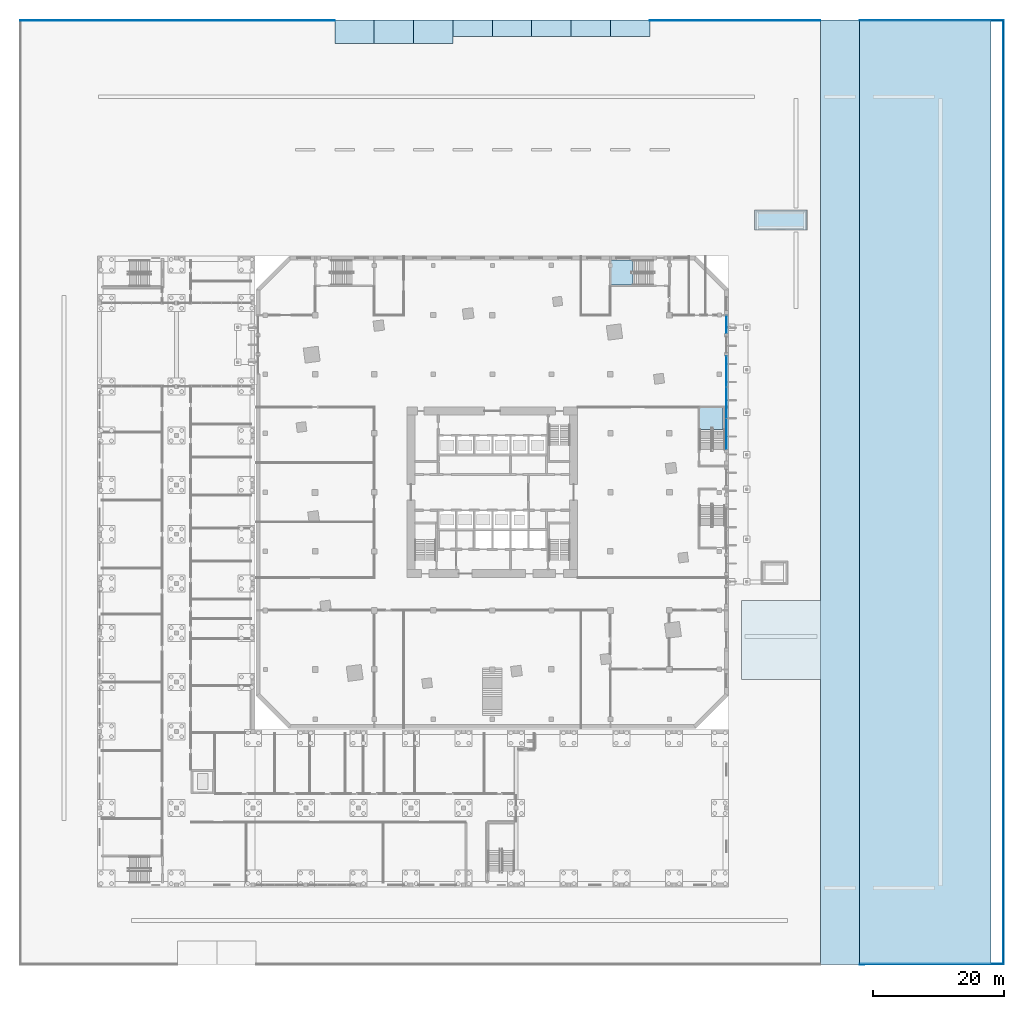
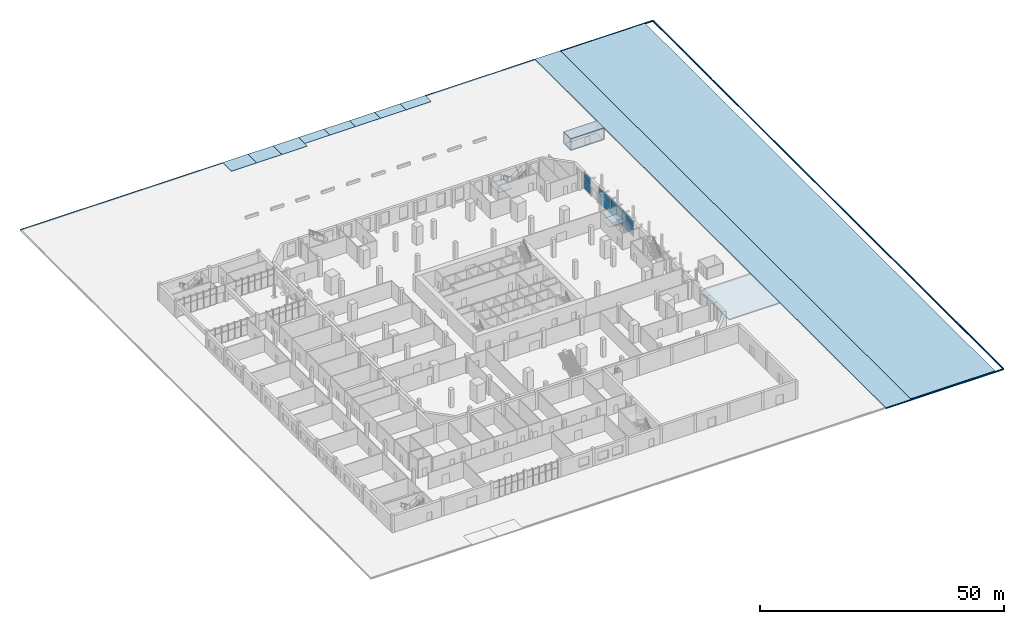
# One storey, part 22 of 42: 21 slabs, 8 plates, 4 elements without a shape of their own.
"""IFC4 building model written with IfcOpenShell, lengths in metres."""

from ifc_helpers import new_model, si_unit, direction, frame, origin, origin_2d, place, context, subcontext, project, spatial, polyline, rectangle, outline, extrude, material, layer, layer_set, type_object, element, aggregate, save


model = new_model("IFC4")

# Units and contexts
model_context = context("Model", 3, precision=1e-05, world=origin(), true_north=direction((0.0, 1.0)))
body_context = subcontext(model_context, "Body", "Model", "MODEL_VIEW")
ifc_project = project(units=[si_unit("LENGTHUNIT", "METRE"), si_unit("AREAUNIT", "SQUARE_METRE"), si_unit("VOLUMEUNIT", "CUBIC_METRE"), si_unit("PLANEANGLEUNIT", "RADIAN"), si_unit("MASSUNIT", "GRAM", prefix="KILO")], contexts=[model_context])

# Site, building, storey
site_placement = place(None, origin())
site = spatial("IfcSite", under=ifc_project, at=site_placement, CompositionType="ELEMENT")
building_placement = place(site_placement, origin())
building = spatial("IfcBuilding", under=site, at=building_placement, Name="Dilmun Exchange Tower", CompositionType="ELEMENT")
storey_placement = place(building_placement, origin())
storey = spatial("IfcBuildingStorey", under=building, at=storey_placement, Name="L00", CompositionType="ELEMENT", Elevation=0.0)

# Slabs
ifc_material_1 = material(Name="Granite paving on Concrete C20/25 bed", Category="masonry")
ifc_layer_1 = layer(ifc_material_1, 0.14990234375)
ifc_layer_set_1 = layer_set([ifc_layer_1], Name="Granite paving on Concrete C20/25 bed")
slab_type_1 = type_object("IfcSlabType", Name="Boundary kerb course 150 granite", PredefinedType="USERDEFINED", material=ifc_layer_set_1)
slab_1_placement = place(storey_placement, frame((0.0, 0.0, -0.14990234375)))
element("IfcSlab", 1, at=slab_1_placement, inside=storey, type_object=slab_type_1, Name="Boundary kerb", ObjectType="PAVING", PredefinedType="USERDEFINED", context=body_context, shape_type="SweptSolid", body=[
    extrude(outline(polyline([(56.0, 71.85009765625), (56.0, 72.0), (78.0, 72.0), (78.0, 71.85009765625), (56.0, 71.85009765625)])), origin(), (0.0, 0.0, 1.0), 0.14990234375),
])
slab_2_placement = place(storey_placement, frame((0.0, 0.0, -0.14990234375)))
element("IfcSlab", 2, at=slab_2_placement, inside=storey, type_object=slab_type_1, Name="Boundary kerb", ObjectType="PAVING", PredefinedType="USERDEFINED", context=body_context, shape_type="SweptSolid", body=[
    extrude(outline(polyline([(24.0, 72.0), (50.0, 72.0), (50.0, 71.85009765625), (24.0, 71.85009765625), (24.0, 72.0)])), origin(), (0.0, 0.0, 1.0), 0.14990234375),
])
slab_3_placement = place(storey_placement, frame((0.0, 0.0, -0.14990234375)))
element("IfcSlab", 3, at=slab_3_placement, inside=storey, type_object=slab_type_1, Name="Boundary kerb", ObjectType="PAVING", PredefinedType="USERDEFINED", context=body_context, shape_type="SweptSolid", body=[
    extrude(outline(polyline([(-24.0, 72.0), (-24.0, 71.85009765625), (-72.0, 71.85009765625), (-72.0, 72.0), (-24.0, 72.0)])), origin(), (0.0, 0.0, 1.0), 0.14990234375),
])
slab_4_placement = place(storey_placement, frame((0.0, 0.0, -0.14990234375)))
element("IfcSlab", 4, at=slab_4_placement, inside=storey, type_object=slab_type_1, Name="Boundary kerb", ObjectType="PAVING", PredefinedType="USERDEFINED", context=body_context, shape_type="SweptSolid", body=[
    extrude(outline(polyline([(78.0, 72.0), (78.0, -72.0), (77.85009765625, -72.0), (77.85009765625, 72.0), (78.0, 72.0)])), origin(), (0.0, 0.0, 1.0), 0.14990234375),
])
slab_5_placement = place(storey_placement, frame((0.0, 0.0, -0.14990234375)))
element("IfcSlab", 5, at=slab_5_placement, inside=storey, type_object=slab_type_1, Name="Boundary kerb", ObjectType="PAVING", PredefinedType="USERDEFINED", context=body_context, shape_type="SweptSolid", body=[
    extrude(outline(polyline([(56.0, -72.0), (56.0, -71.85009765625), (78.0, -71.85009765625), (78.0, -72.0), (56.0, -72.0)])), origin(), (0.0, 0.0, 1.0), 0.14990234375),
])

# Curtain wall, plates
ifc_material_2 = material(Name="Anodised aluminium and clear glass", Category="aluminium")
curtain_wall_type = type_object("IfcCurtainWallType", Name="Concourse glazing", PredefinedType="NOTDEFINED", material=ifc_material_2)
curtain_wall_1_placement = place(storey_placement, origin())
curtain_wall_1 = element("IfcCurtainWall", 6, at=curtain_wall_1_placement, inside=storey, type_object=curtain_wall_type, Name="Concourse glazing run CG3.11", PredefinedType="NOTDEFINED")
ifc_material_3 = material(Name="Clear glass", Category="glass")
ifc_layer_2 = layer(ifc_material_3, 0.0400390625)
ifc_layer_set_2 = layer_set([ifc_layer_2], Name="Clear glass")
plate_type = type_object("IfcPlateType", Name="Concourse glazing glass panel 40", PredefinedType="CURTAIN_PANEL", material=ifc_layer_set_2)
plate_1_placement = place(storey_placement, frame((35.699951171875, 8.9033203125, 0.080078125), z_axis=(0.0, 0.0, 1.0), x_axis=(0.0, 1.0, 0.0)))
plate_1 = element("IfcPlate", 7, at=plate_1_placement, type_object=plate_type, Name="CG3.11 panel 1.1", PredefinedType="CURTAIN_PANEL", context=body_context, shape_type="SweptSolid", body=[
    extrude(rectangle(XDim=4.646728515625, YDim=0.0400390625, at=origin_2d()), origin(), (0.0, 0.0, 1.0), 2.280029296875),
])
plate_2_placement = place(storey_placement, frame((35.699951171875, 8.9033203125, 2.43994140625), z_axis=(0.0, 0.0, 1.0), x_axis=(0.0, 1.0, 0.0)))
plate_2 = element("IfcPlate", 8, at=plate_2_placement, type_object=plate_type, Name="CG3.11 panel 1.2", PredefinedType="CURTAIN_PANEL", context=body_context, shape_type="SweptSolid", body=[
    extrude(rectangle(XDim=4.646728515625, YDim=0.0400390625, at=origin_2d()), origin(), (0.0, 0.0, 1.0), 1.580078125),
])
plate_3_placement = place(storey_placement, frame((35.699951171875, 13.64990234375, 0.080078125), z_axis=(0.0, 0.0, 1.0), x_axis=(0.0, 1.0, 0.0)))
plate_3 = element("IfcPlate", 9, at=plate_3_placement, type_object=plate_type, Name="CG3.11 panel 2.1", PredefinedType="CURTAIN_PANEL", context=body_context, shape_type="SweptSolid", body=[
    extrude(rectangle(XDim=4.686767578125, YDim=0.0400390625, at=origin_2d()), origin(), (0.0, 0.0, 1.0), 2.280029296875),
])
plate_4_placement = place(storey_placement, frame((35.699951171875, 13.64990234375, 2.43994140625), z_axis=(0.0, 0.0, 1.0), x_axis=(0.0, 1.0, 0.0)))
plate_4 = element("IfcPlate", 10, at=plate_4_placement, type_object=plate_type, Name="CG3.11 panel 2.2", PredefinedType="CURTAIN_PANEL", context=body_context, shape_type="SweptSolid", body=[
    extrude(rectangle(XDim=4.686767578125, YDim=0.0400390625, at=origin_2d()), origin(), (0.0, 0.0, 1.0), 1.580078125),
])
plate_5_placement = place(storey_placement, frame((35.699951171875, 18.396728515625, 0.080078125), z_axis=(0.0, 0.0, 1.0), x_axis=(0.0, 1.0, 0.0)))
plate_5 = element("IfcPlate", 11, at=plate_5_placement, type_object=plate_type, Name="CG3.11 panel 3.1", PredefinedType="CURTAIN_PANEL", context=body_context, shape_type="SweptSolid", body=[
    extrude(rectangle(XDim=4.646728515625, YDim=0.0400390625, at=origin_2d()), origin(), (0.0, 0.0, 1.0), 2.280029296875),
])
plate_6_placement = place(storey_placement, frame((35.699951171875, 18.396728515625, 2.43994140625), z_axis=(0.0, 0.0, 1.0), x_axis=(0.0, 1.0, 0.0)))
plate_6 = element("IfcPlate", 12, at=plate_6_placement, type_object=plate_type, Name="CG3.11 panel 3.2", PredefinedType="CURTAIN_PANEL", context=body_context, shape_type="SweptSolid", body=[
    extrude(rectangle(XDim=4.646728515625, YDim=0.0400390625, at=origin_2d()), origin(), (0.0, 0.0, 1.0), 1.580078125),
])
aggregate(curtain_wall_1, [plate_1, plate_2, plate_3, plate_4, plate_5, plate_6])

curtain_wall_2_placement = place(storey_placement, origin())
curtain_wall_2 = element("IfcCurtainWall", 13, at=curtain_wall_2_placement, inside=storey, type_object=curtain_wall_type, Name="Concourse glazing run CG3.13", PredefinedType="NOTDEFINED")
plate_7_placement = place(storey_placement, frame((35.699951171875, 25.60009765625, 0.080078125), z_axis=(0.0, 0.0, 1.0), x_axis=(0.0, 1.0, 0.0)))
plate_7 = element("IfcPlate", 14, at=plate_7_placement, type_object=plate_type, Name="CG3.13 panel 1.1", PredefinedType="CURTAIN_PANEL", context=body_context, shape_type="SweptSolid", body=[
    extrude(rectangle(XDim=2.639892578125, YDim=0.0400390625, at=origin_2d()), origin(), (0.0, 0.0, 1.0), 2.280029296875),
])
plate_8_placement = place(storey_placement, frame((35.699951171875, 25.60009765625, 2.43994140625), z_axis=(0.0, 0.0, 1.0), x_axis=(0.0, 1.0, 0.0)))
plate_8 = element("IfcPlate", 15, at=plate_8_placement, type_object=plate_type, Name="CG3.13 panel 1.2", PredefinedType="CURTAIN_PANEL", context=body_context, shape_type="SweptSolid", body=[
    extrude(rectangle(XDim=2.639892578125, YDim=0.0400390625, at=origin_2d()), origin(), (0.0, 0.0, 1.0), 1.580078125),
])
aggregate(curtain_wall_2, [plate_7, plate_8])

# Slabs
ifc_layer_3 = layer(ifc_material_1, 0.14990234375)
ifc_layer_set_3 = layer_set([ifc_layer_3], Name="Granite paving on Concrete C20/25 bed")
slab_type_2 = type_object("IfcSlabType", Name="Parking bay surface 150", PredefinedType="USERDEFINED", material=ifc_layer_set_3)
slab_6_placement = place(storey_placement, frame((0.0, 0.0, -0.14990234375)))
element("IfcSlab", 16, at=slab_6_placement, inside=storey, type_object=slab_type_2, Name="Accessible bay AB1", ObjectType="PAVING", PredefinedType="USERDEFINED", context=body_context, shape_type="SweptSolid", body=[
    extrude(outline(polyline([(-24.0, 68.39990234375), (-24.0, 72.0), (-18.0, 72.0), (-18.0, 68.39990234375), (-24.0, 68.39990234375)])), origin(), (0.0, 0.0, 1.0), 0.14990234375),
])
slab_7_placement = place(storey_placement, frame((0.0, 0.0, -0.14990234375)))
element("IfcSlab", 17, at=slab_7_placement, inside=storey, type_object=slab_type_2, Name="Accessible bay AB2", ObjectType="PAVING", PredefinedType="USERDEFINED", context=body_context, shape_type="SweptSolid", body=[
    extrude(outline(polyline([(-18.0, 68.39990234375), (-18.0, 72.0), (-12.0, 72.0), (-12.0, 68.39990234375), (-18.0, 68.39990234375)])), origin(), (0.0, 0.0, 1.0), 0.14990234375),
])
slab_8_placement = place(storey_placement, frame((0.0, 0.0, -0.14990234375)))
element("IfcSlab", 18, at=slab_8_placement, inside=storey, type_object=slab_type_2, Name="Accessible bay AB3", ObjectType="PAVING", PredefinedType="USERDEFINED", context=body_context, shape_type="SweptSolid", body=[
    extrude(outline(polyline([(-12.0, 68.39990234375), (-12.0, 72.0), (-6.0, 72.0), (-6.0, 68.39990234375), (-12.0, 68.39990234375)])), origin(), (0.0, 0.0, 1.0), 0.14990234375),
])
slab_9_placement = place(storey_placement, frame((0.0, 0.0, -0.14990234375)))
element("IfcSlab", 19, at=slab_9_placement, inside=storey, type_object=slab_type_2, Name="Drop-off bay DB1", ObjectType="PAVING", PredefinedType="USERDEFINED", context=body_context, shape_type="SweptSolid", body=[
    extrude(outline(polyline([(-6.0, 69.5), (-6.0, 72.0), (0.0, 72.0), (0.0, 69.5), (-6.0, 69.5)])), origin(), (0.0, 0.0, 1.0), 0.14990234375),
])
slab_10_placement = place(storey_placement, frame((0.0, 0.0, -0.14990234375)))
element("IfcSlab", 20, at=slab_10_placement, inside=storey, type_object=slab_type_2, Name="Drop-off bay DB2", ObjectType="PAVING", PredefinedType="USERDEFINED", context=body_context, shape_type="SweptSolid", body=[
    extrude(outline(polyline([(0.0, 69.5), (0.0, 72.0), (6.0, 72.0), (6.0, 69.5), (0.0, 69.5)])), origin(), (0.0, 0.0, 1.0), 0.14990234375),
])
slab_11_placement = place(storey_placement, frame((0.0, 0.0, -0.14990234375)))
element("IfcSlab", 21, at=slab_11_placement, inside=storey, type_object=slab_type_2, Name="Drop-off bay DB3", ObjectType="PAVING", PredefinedType="USERDEFINED", context=body_context, shape_type="SweptSolid", body=[
    extrude(outline(polyline([(6.0, 69.5), (6.0, 72.0), (12.0, 72.0), (12.0, 69.5), (6.0, 69.5)])), origin(), (0.0, 0.0, 1.0), 0.14990234375),
])
slab_12_placement = place(storey_placement, frame((0.0, 0.0, -0.14990234375)))
element("IfcSlab", 22, at=slab_12_placement, inside=storey, type_object=slab_type_2, Name="Drop-off bay DB4", ObjectType="PAVING", PredefinedType="USERDEFINED", context=body_context, shape_type="SweptSolid", body=[
    extrude(outline(polyline([(12.0, 69.5), (12.0, 72.0), (18.0, 72.0), (18.0, 69.5), (12.0, 69.5)])), origin(), (0.0, 0.0, 1.0), 0.14990234375),
])
slab_13_placement = place(storey_placement, frame((0.0, 0.0, -0.14990234375)))
element("IfcSlab", 23, at=slab_13_placement, inside=storey, type_object=slab_type_2, Name="Drop-off bay DB5", ObjectType="PAVING", PredefinedType="USERDEFINED", context=body_context, shape_type="SweptSolid", body=[
    extrude(outline(polyline([(18.0, 69.5), (18.0, 72.0), (24.0, 72.0), (24.0, 69.5), (18.0, 69.5)])), origin(), (0.0, 0.0, 1.0), 0.14990234375),
])
ifc_material_4 = material(Name="Concrete C20/25", Category="concrete")
ifc_layer_4 = layer(ifc_material_4, 0.1298828125)
ifc_layer_set_4 = layer_set([ifc_layer_4], Name="Concrete C20/25")
slab_type_3 = type_object("IfcSlabType", Name="Paving sub-base 130 concrete", PredefinedType="USERDEFINED", material=ifc_layer_set_4)
slab_14_placement = place(storey_placement, frame((0.0, 0.0, -0.330078125)))
element("IfcSlab", 24, at=slab_14_placement, inside=storey, type_object=slab_type_3, Name="Paving sub-base", ObjectType="PAVING", PredefinedType="USERDEFINED", context=body_context, shape_type="SweptSolid", body=[
    extrude(outline(polyline([(38.0, -16.5), (50.0, -16.5), (50.0, 72.0), (56.0, 72.0), (56.0, -72.0), (50.0, -72.0), (50.0, -28.5), (38.0, -28.5), (38.0, -16.5)])), origin(), (0.0, 0.0, 1.0), 0.130126953125),
])
ifc_layer_5 = layer(ifc_material_4, 0.179931640625)
ifc_layer_set_5 = layer_set([ifc_layer_5], Name="Concrete C20/25")
slab_type_4 = type_object("IfcSlabType", Name="Paving sub-base 180 concrete", PredefinedType="USERDEFINED", material=ifc_layer_set_5)
slab_15_placement = place(storey_placement, frame((0.0, 0.0, -0.330078125)))
element("IfcSlab", 25, at=slab_15_placement, inside=storey, type_object=slab_type_4, Name="Paving sub-base", ObjectType="PAVING", PredefinedType="USERDEFINED", context=body_context, shape_type="SweptSolid", body=[
    extrude(outline(polyline([(77.85009765625, 72.0), (78.0, 72.0), (78.0, 71.85009765625), (78.0, -71.85009765625), (78.0, -72.0), (77.85009765625, -72.0), (56.0, -72.0), (56.0, -71.85009765625), (56.0, 71.85009765625), (56.0, 72.0), (77.85009765625, 72.0)]), holes=[polyline([(76.0, -69.5), (76.0, -71.85009765625), (77.85009765625, -71.85009765625), (77.85009765625, 71.85009765625), (76.0, 71.85009765625), (76.0, 36.0), (76.0, -60.14990234375), (76.0, -69.5)])]), origin(), (0.0, 0.0, 1.0), 0.18017578125),
])
ifc_layer_6 = layer(ifc_material_1, 0.14990234375)
ifc_layer_set_6 = layer_set([ifc_layer_6], Name="Granite paving on Concrete C20/25 bed")
slab_type_5 = type_object("IfcSlabType", Name="Plaza paving 150 granite setts", PredefinedType="USERDEFINED", material=ifc_layer_set_6)
slab_16_placement = place(storey_placement, frame((0.0, 0.0, -0.14990234375)))
element("IfcSlab", 26, at=slab_16_placement, inside=storey, type_object=slab_type_5, Name="Plaza paving", ObjectType="PAVING", PredefinedType="USERDEFINED", context=body_context, shape_type="SweptSolid", body=[
    extrude(outline(polyline([(56.0, -71.85009765625), (56.0, 71.85009765625), (76.0, 71.85009765625), (76.0, 36.0), (76.0, -60.14990234375), (76.0, -69.5), (76.0, -71.85009765625), (56.0, -71.85009765625)])), origin(), (0.0, 0.0, 1.0), 0.14990234375),
])

# Stair, slab
ifc_material_5 = material(Name="Concrete C40/50", Category="concrete")
stair_type = type_object("IfcStairType", Name="Podium exit stair 1500", PredefinedType="HALF_TURN_STAIR", material=ifc_material_5)
stair_1_placement = place(storey_placement, origin())
stair_1 = element("IfcStair", 27, at=stair_1_placement, inside=storey, type_object=stair_type, Name="L00 Podium exit stair PS2", PredefinedType="HALF_TURN_STAIR")
ifc_layer_7 = layer(ifc_material_5, 0.199951171875)
ifc_layer_set_7 = layer_set([ifc_layer_7], Name="Concrete C40/50")
slab_type_6 = type_object("IfcSlabType", Name="Podium stair landing 200", PredefinedType="LANDING", material=ifc_layer_set_7)
slab_17_placement = place(storey_placement, frame((0.0, 0.0, 2.050048828125)))
slab_17 = element("IfcSlab", 28, at=slab_17_placement, type_object=slab_type_6, Name="PS2 landing 1", PredefinedType="LANDING", context=body_context, shape_type="SweptSolid", body=[
    extrude(outline(polyline([(21.419921875, 35.39794921875), (18.10498046875, 35.39794921875), (18.10498046875, 31.60009765625), (21.419921875, 31.60009765625), (21.419921875, 35.39794921875)])), origin(), (0.0, 0.0, 1.0), 0.199951171875),
])
aggregate(stair_1, [slab_17])

stair_2_placement = place(storey_placement, origin())
stair_2 = element("IfcStair", 29, at=stair_2_placement, inside=storey, type_object=stair_type, Name="L00 Podium exit stair PS4", PredefinedType="HALF_TURN_STAIR")
slab_18_placement = place(storey_placement, frame((0.0, 0.0, 2.050048828125)))
slab_18 = element("IfcSlab", 30, at=slab_18_placement, type_object=slab_type_6, Name="PS4 landing 1", PredefinedType="LANDING", context=body_context, shape_type="SweptSolid", body=[
    extrude(outline(polyline([(35.197998046875, 9.580078125), (35.197998046875, 12.89501953125), (31.60009765625, 12.89501953125), (31.60009765625, 9.580078125), (35.197998046875, 9.580078125)])), origin(), (0.0, 0.0, 1.0), 0.199951171875),
])
aggregate(stair_2, [slab_18])

# Slabs
ifc_material_6 = material(Name="Asphalt on Concrete C20/25 base", Category="concrete")
ifc_layer_8 = layer(ifc_material_6, 0.199951171875)
ifc_layer_set_8 = layer_set([ifc_layer_8], Name="Asphalt on Concrete C20/25 base")
slab_type_7 = type_object("IfcSlabType", Name="Service road surface 200", PredefinedType="BASESLAB", material=ifc_layer_set_8)
slab_19_placement = place(storey_placement, frame((0.0, 0.0, -0.199951171875)))
element("IfcSlab", 31, at=slab_19_placement, inside=storey, type_object=slab_type_7, Name="Service road", PredefinedType="BASESLAB", context=body_context, shape_type="SweptSolid", body=[
    extrude(outline(polyline([(50.0, -72.0), (50.0, 72.0), (56.0, 72.0), (56.0, -72.0), (50.0, -72.0)])), origin(), (0.0, 0.0, 1.0), 0.199951171875),
])
ifc_material_7 = material(Name="Concrete C32/40", Category="concrete")
ifc_layer_9 = layer(ifc_material_7, 0.14990234375)
ifc_layer_set_9 = layer_set([ifc_layer_9], Name="Concrete C32/40")
slab_type_8 = type_object("IfcSlabType", Name="Store floor slab 150", PredefinedType="BASESLAB", material=ifc_layer_set_9)
slab_20_placement = place(storey_placement, frame((0.0, 0.0, -0.14990234375)))
element("IfcSlab", 32, at=slab_20_placement, inside=storey, type_object=slab_type_8, Name="Cycle store floor", PredefinedType="BASESLAB", context=body_context, shape_type="SweptSolid", body=[
    extrude(outline(polyline([(40.199951171875, 40.199951171875), (40.199951171875, 42.800048828125), (47.800048828125, 42.800048828125), (47.800048828125, 40.199951171875), (40.199951171875, 40.199951171875)])), origin(), (0.0, 0.0, 1.0), 0.14990234375),
])
ifc_layer_10 = layer(ifc_material_7, 0.14990234375)
ifc_layer_set_10 = layer_set([ifc_layer_10], Name="Concrete C32/40")
slab_type_9 = type_object("IfcSlabType", Name="Store roof slab 150", PredefinedType="ROOF", material=ifc_layer_set_10)
slab_21_placement = place(storey_placement, frame((0.0, 0.0, 2.800048828125)))
element("IfcSlab", 33, at=slab_21_placement, inside=storey, type_object=slab_type_9, Name="Cycle store roof", PredefinedType="ROOF", context=body_context, shape_type="SweptSolid", body=[
    extrude(outline(polyline([(40.0, 40.0), (40.0, 43.0), (48.0, 43.0), (48.0, 40.0), (40.0, 40.0)])), origin(), (0.0, 0.0, 1.0), 0.14990234375),
])

save(model, "model.ifc")
